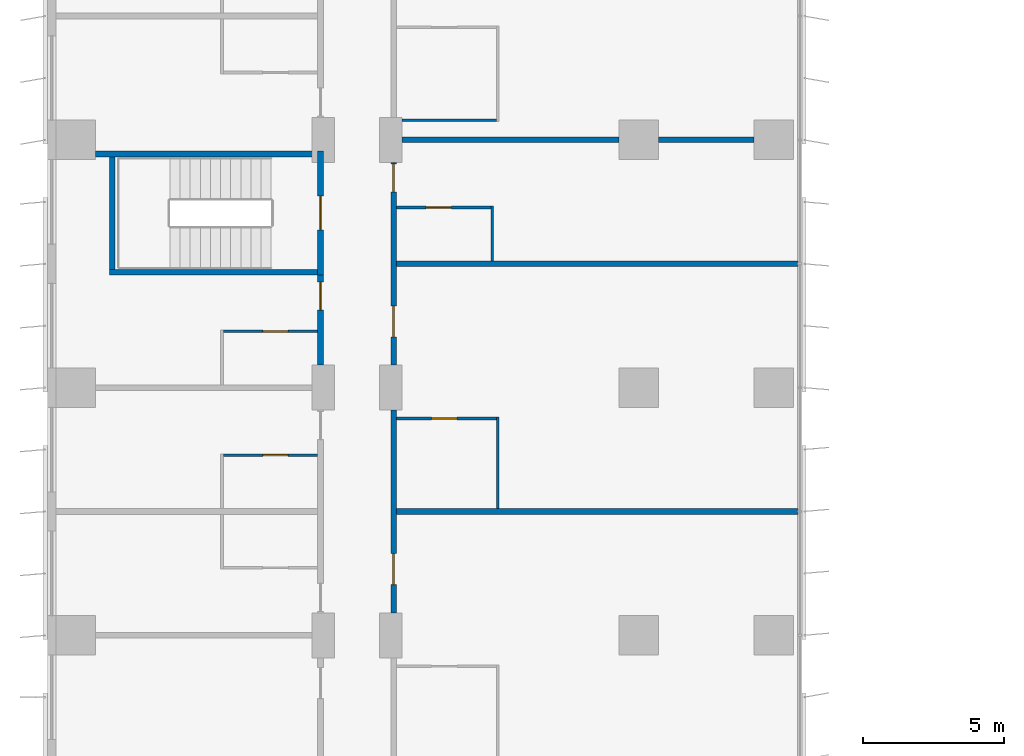
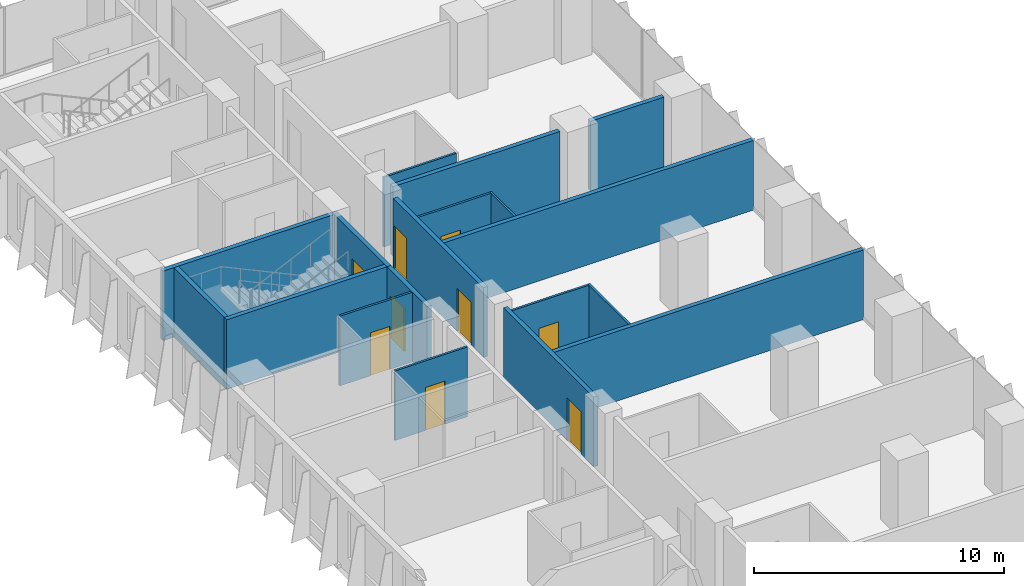
# One storey, part 17 of 24: 18 walls, 9 doors, 9 openings.
"""IFC4 building model written with IfcOpenShell, lengths in metres."""

from ifc_helpers import new_model, si_unit, direction, frame, frame_2d, origin, place, context, subcontext, project, spatial, rectangle, extrude, material, layer, layer_set, type_object, element, fill, save


model = new_model("IFC4")

# Units and contexts
model_context = context("Model", 3, precision=1e-05, world=origin(), true_north=direction((0.0, 1.0)))
body_context = subcontext(model_context, "Body", "Model", "MODEL_VIEW")
ifc_project = project(units=[si_unit("LENGTHUNIT", "METRE"), si_unit("AREAUNIT", "SQUARE_METRE"), si_unit("VOLUMEUNIT", "CUBIC_METRE"), si_unit("PLANEANGLEUNIT", "RADIAN"), si_unit("MASSUNIT", "GRAM", prefix="KILO")], contexts=[model_context])

# Site, building, storey
site_placement = place(None, origin())
site = spatial("IfcSite", under=ifc_project, at=site_placement, CompositionType="ELEMENT")
building_placement = place(site_placement, origin())
building = spatial("IfcBuilding", under=site, at=building_placement, Name="Kemantara Hotel Tower", CompositionType="ELEMENT")
storey_placement = place(building_placement, frame((0.0, 0.0, 52.5)))
storey = spatial("IfcBuildingStorey", under=building, at=storey_placement, Name="L11", CompositionType="ELEMENT", Elevation=52.5)

# Wall, opening, door
ifc_material_1 = material(Name="Gypsum board partition, steel studs and mineral wool, 200 mm", Category="steel")
ifc_layer_1 = layer(ifc_material_1, 0.199951171875)
ifc_layer_set_1 = layer_set([ifc_layer_1], Name="Gypsum board partition, steel studs and mineral wool, 200 mm")
wall_type_1 = type_object("IfcWallType", Name="CORRIDOR WALL 200", PredefinedType="PARTITIONING", material=ifc_layer_set_1)
wall_1_placement = place(storey_placement, frame((9.699951171875, 54.60009765625, 0.0), z_axis=(0.0, 0.0, 1.0), x_axis=(0.0, 1.0, 0.0)))
wall_1 = element("IfcWall", 1, at=wall_1_placement, inside=storey, type_object=wall_type_1, Name="CORRIDOR WALL 200 033", PredefinedType="PARTITIONING", context=body_context, shape_type="SweptSolid", body=[
    extrude(rectangle(XDim=3.199951171875, YDim=0.199951171875, at=frame_2d((1.60009765625, 0.0))), origin(), (0.0, 0.0, 1.0), 3.39990234375),
])
opening_1_placement = place(wall_1_placement, frame((1.949951171875, 0.0, 0.0)))
opening_1 = element("IfcOpeningElement", 2, at=opening_1_placement, cuts=wall_1, Name="Opening F03-046", PredefinedType="OPENING", context=body_context, shape_type="SweptSolid", body=[
    extrude(rectangle(XDim=1.0, YDim=2.10009765625, at=frame_2d((0.5, 1.050048828125))), frame((0.0, 0.10986328125, 0.0), z_axis=(0.0, -1.0, 0.0), x_axis=(1.0, 0.0, 0.0)), (0.0, 0.0, 1.0), 0.219970703125),
])
ifc_material_2 = material(Name="Hardwood veneer door leaf with steel frame", Category="steel")
door_type_1 = type_object("IfcDoorType", Name="GUEST ROOM DOOR 1000 X 2100 FD30S", OperationType="NOTDEFINED", PredefinedType="DOOR", material=ifc_material_2)
door_1_placement = place(opening_1_placement, origin())
door_1 = element("IfcDoor", 3, at=door_1_placement, inside=storey, type_object=door_type_1, Name="GUEST ROOM DOOR F03-046", OperationType="SINGLE_SWING_RIGHT", OverallHeight=2.10009765625, OverallWidth=1.0, PredefinedType="DOOR", context=body_context, shape_type="SweptSolid", body=[
    extrude(rectangle(XDim=1.0, YDim=2.10009765625, at=frame_2d((0.5, 1.050048828125))), frame((0.0, 0.02490234375, 0.0), z_axis=(0.0, -1.0, 0.0), x_axis=(1.0, 0.0, 0.0)), (0.0, 0.0, 1.0), 0.050048828125),
])
fill(opening_1, door_1)

wall_2_placement = place(storey_placement, frame((12.300048828125, 53.0, 0.0), z_axis=(0.0, 0.0, 1.0), x_axis=(0.0, -1.0, 0.0)))
wall_2 = element("IfcWall", 4, at=wall_2_placement, inside=storey, type_object=wall_type_1, Name="CORRIDOR WALL 200 049", PredefinedType="PARTITIONING", context=body_context, shape_type="SweptSolid", body=[
    extrude(rectangle(XDim=7.199951171875, YDim=0.199951171875, at=frame_2d((3.60009765625, 0.0))), origin(), (0.0, 0.0, 1.0), 3.39990234375),
])
opening_2_placement = place(wall_2_placement, frame((5.099853515625, 0.0, 0.0)))
opening_2 = element("IfcOpeningElement", 5, at=opening_2_placement, cuts=wall_2, Name="Opening F03-058", PredefinedType="OPENING", context=body_context, shape_type="SweptSolid", body=[
    extrude(rectangle(XDim=1.10009765625, YDim=2.10009765625, at=frame_2d((0.550048828125, 1.050048828125))), frame((0.0, 0.10986328125, 0.0), z_axis=(0.0, -1.0, 0.0), x_axis=(1.0, 0.0, 0.0)), (0.0, 0.0, 1.0), 0.219970703125),
])
door_type_2 = type_object("IfcDoorType", Name="SUITE ENTRANCE DOOR 1100 X 2100 FD30S", OperationType="NOTDEFINED", PredefinedType="DOOR", material=ifc_material_2)
door_2_placement = place(opening_2_placement, origin())
door_2 = element("IfcDoor", 6, at=door_2_placement, inside=storey, type_object=door_type_2, Name="SUITE ENTRANCE DOOR F03-058", OperationType="SINGLE_SWING_LEFT", OverallHeight=2.10009765625, OverallWidth=1.10009765625, PredefinedType="DOOR", context=body_context, shape_type="SweptSolid", body=[
    extrude(rectangle(XDim=1.10009765625, YDim=2.10009765625, at=frame_2d((0.550048828125, 1.050048828125))), frame((0.0, 0.02490234375, 0.0), z_axis=(0.0, -1.0, 0.0), x_axis=(1.0, 0.0, 0.0)), (0.0, 0.0, 1.0), 0.050048828125),
])
fill(opening_2, door_2)

# Wall, openings, doors
wall_3_placement = place(storey_placement, frame((12.300048828125, 61.7998046875, 0.0), z_axis=(0.0, 0.0, 1.0), x_axis=(0.0, -1.0, 0.0)))
wall_3 = element("IfcWall", 7, at=wall_3_placement, inside=storey, type_object=wall_type_1, Name="CORRIDOR WALL 200 050", PredefinedType="PARTITIONING", context=body_context, shape_type="SweptSolid", body=[
    extrude(rectangle(XDim=7.19970703125, YDim=0.199951171875, at=frame_2d((3.599853515625, 0.0))), origin(), (0.0, 0.0, 1.0), 3.39990234375),
])
opening_3_placement = place(wall_3_placement, frame((5.099853515625, 0.0, 0.0)))
opening_3 = element("IfcOpeningElement", 8, at=opening_3_placement, cuts=wall_3, Name="Opening F03-060", PredefinedType="OPENING", context=body_context, shape_type="SweptSolid", body=[
    extrude(rectangle(XDim=1.10009765625, YDim=2.10009765625, at=frame_2d((0.550048828125, 1.050048828125))), frame((0.0, 0.10986328125, 0.0), z_axis=(0.0, -1.0, 0.0), x_axis=(1.0, 0.0, 0.0)), (0.0, 0.0, 1.0), 0.219970703125),
])
opening_4_placement = place(wall_3_placement, frame((0.0498046875, 0.0, 0.0)))
opening_4 = element("IfcOpeningElement", 9, at=opening_4_placement, cuts=wall_3, Name="Opening F03-062", PredefinedType="OPENING", context=body_context, shape_type="SweptSolid", body=[
    extrude(rectangle(XDim=1.0, YDim=2.10009765625, at=frame_2d((0.5, 1.050048828125))), frame((0.0, 0.10986328125, 0.0), z_axis=(0.0, -1.0, 0.0), x_axis=(1.0, 0.0, 0.0)), (0.0, 0.0, 1.0), 0.219970703125),
])
door_3_placement = place(opening_4_placement, origin())
door_3 = element("IfcDoor", 10, at=door_3_placement, inside=storey, type_object=door_type_1, Name="GUEST ROOM DOOR F03-062", OperationType="SINGLE_SWING_LEFT", OverallHeight=2.10009765625, OverallWidth=1.0, PredefinedType="DOOR", context=body_context, shape_type="SweptSolid", body=[
    extrude(rectangle(XDim=1.0, YDim=2.10009765625, at=frame_2d((0.5, 1.050048828125))), frame((0.0, 0.02490234375, 0.0), z_axis=(0.0, -1.0, 0.0), x_axis=(1.0, 0.0, 0.0)), (0.0, 0.0, 1.0), 0.050048828125),
])
fill(opening_4, door_3)
door_4_placement = place(opening_3_placement, origin())
door_4 = element("IfcDoor", 11, at=door_4_placement, inside=storey, type_object=door_type_2, Name="SUITE ENTRANCE DOOR F03-060", OperationType="SINGLE_SWING_LEFT", OverallHeight=2.10009765625, OverallWidth=1.10009765625, PredefinedType="DOOR", context=body_context, shape_type="SweptSolid", body=[
    extrude(rectangle(XDim=1.10009765625, YDim=2.10009765625, at=frame_2d((0.550048828125, 1.050048828125))), frame((0.0, 0.02490234375, 0.0), z_axis=(0.0, -1.0, 0.0), x_axis=(1.0, 0.0, 0.0)), (0.0, 0.0, 1.0), 0.050048828125),
])
fill(opening_3, door_4)

# Wall, opening, door
ifc_material_3 = material(Name="Concrete fc 40 MPa", Category="concrete")
ifc_layer_2 = layer(ifc_material_3, 0.199951171875)
ifc_layer_set_2 = layer_set([ifc_layer_2], Name="Concrete fc 40 MPa")
wall_type_2 = type_object("IfcWallType", Name="Concrete stair wall 200 mm", PredefinedType="SHEAR", material=ifc_layer_set_2)
wall_4_placement = place(storey_placement, frame((9.699951171875, 57.800048828125, 0.0), z_axis=(0.0, 0.0, 1.0), x_axis=(0.0, 1.0, 0.0)))
wall_4 = element("IfcWall", 12, at=wall_4_placement, inside=storey, type_object=wall_type_2, Name="Stair ST4 enclosure wall with door", PredefinedType="SHEAR", context=body_context, shape_type="SweptSolid", body=[
    extrude(rectangle(XDim=4.39990234375, YDim=0.199951171875, at=frame_2d((2.199951171875, 0.0))), origin(), (0.0, 0.0, 1.0), 3.39990234375),
])
opening_5_placement = place(wall_4_placement, frame((1.60009765625, 0.0, 0.0)))
opening_5 = element("IfcOpeningElement", 13, at=opening_5_placement, cuts=wall_4, Name="Opening ST4-C", PredefinedType="OPENING", context=body_context, shape_type="SweptSolid", body=[
    extrude(rectangle(XDim=1.199951171875, YDim=2.10009765625, at=frame_2d((0.60009765625, 1.050048828125))), frame((0.0, 0.10986328125, 0.0), z_axis=(0.0, -1.0, 0.0), x_axis=(1.0, 0.0, 0.0)), (0.0, 0.0, 1.0), 0.219970703125),
])
ifc_material_4 = material(Name="Steel fire door", Category="steel")
door_type_3 = type_object("IfcDoorType", Name="Fire door FD90 1200 x 2100", OperationType="NOTDEFINED", PredefinedType="DOOR", material=ifc_material_4)
door_5_placement = place(opening_5_placement, origin())
door_5 = element("IfcDoor", 14, at=door_5_placement, inside=storey, type_object=door_type_3, Name="Stair ST4 door", OperationType="SINGLE_SWING_RIGHT", OverallHeight=2.10009765625, OverallWidth=1.199951171875, PredefinedType="DOOR", context=body_context, shape_type="SweptSolid", body=[
    extrude(rectangle(XDim=1.199951171875, YDim=2.10009765625, at=frame_2d((0.60009765625, 1.050048828125))), frame((0.0, 0.02490234375, 0.0), z_axis=(0.0, -1.0, 0.0), x_axis=(1.0, 0.0, 0.0)), (0.0, 0.0, 1.0), 0.050048828125),
])
fill(opening_5, door_5)

# Walls
wall_5_placement = place(storey_placement, frame((1.699951171875, 62.10009765625, 0.0), z_axis=(0.0, 0.0, 1.0), x_axis=(1.0, 0.0, 0.0)))
element("IfcWall", 15, at=wall_5_placement, inside=storey, type_object=wall_type_2, Name="Stair ST4 enclosure wall N", PredefinedType="SHEAR", context=body_context, shape_type="SweptSolid", body=[
    extrude(rectangle(XDim=7.900146484375, YDim=0.199951171875, at=frame_2d((3.9501953125, 0.0))), origin(), (0.0, 0.0, 1.0), 3.39990234375),
])
wall_6_placement = place(storey_placement, frame((2.199951171875, 57.89990234375, 0.0), z_axis=(0.0, 0.0, 1.0), x_axis=(1.0, 0.0, 0.0)))
element("IfcWall", 16, at=wall_6_placement, inside=storey, type_object=wall_type_2, Name="Stair ST4 enclosure wall S", PredefinedType="SHEAR", context=body_context, shape_type="SweptSolid", body=[
    extrude(rectangle(XDim=7.400146484375, YDim=0.199951171875, at=frame_2d((3.7001953125, 0.0))), origin(), (0.0, 0.0, 1.0), 3.39990234375),
])
wall_7_placement = place(storey_placement, frame((2.300048828125, 58.0, 0.0), z_axis=(0.0, 0.0, 1.0), x_axis=(0.0, 1.0, 0.0)))
element("IfcWall", 17, at=wall_7_placement, inside=storey, type_object=wall_type_2, Name="Stair ST4 enclosure wall W", PredefinedType="SHEAR", context=body_context, shape_type="SweptSolid", body=[
    extrude(rectangle(XDim=4.0, YDim=0.199951171875, at=frame_2d((2.0, 0.0))), origin(), (0.0, 0.0, 1.0), 3.39990234375),
])
ifc_layer_3 = layer(ifc_material_1, 0.199951171875)
ifc_layer_set_3 = layer_set([ifc_layer_3], Name="Gypsum board partition, steel studs and mineral wool, 200 mm")
wall_type_3 = type_object("IfcWallType", Name="GUEST ROOM PARTY WALL 200", PredefinedType="PARTITIONING", material=ifc_layer_set_3)
for number, where, z_axis, x_axis, name in (
    (18, (12.39990234375, 49.39990234375, 0.0), (0.0, 0.0, 1.0), (1.0, 0.0, 0.0), "GUEST ROOM PARTY WALL 200 043"),
    (19, (12.39990234375, 58.199951171875, 0.0), (0.0, 0.0, 1.0), (1.0, 0.0, 0.0), "GUEST ROOM PARTY WALL 200 057"),
):
    element("IfcWall", number, at=place(storey_placement, frame(where, z_axis=z_axis, x_axis=x_axis)), inside=storey, type_object=wall_type_3, Name=name, PredefinedType="PARTITIONING", context=body_context, shape_type="SweptSolid", body=[
        extrude(rectangle(XDim=14.27001953125, YDim=0.199951171875, at=frame_2d((7.135009765625, 0.0))), origin(), (0.0, 0.0, 1.0), 3.39990234375),
    ])
wall_8_placement = place(storey_placement, frame((12.60009765625, 62.60009765625, 0.0), z_axis=(0.0, 0.0, 1.0), x_axis=(1.0, 0.0, 0.0)))
element("IfcWall", 20, at=wall_8_placement, inside=storey, type_object=wall_type_3, Name="GUEST ROOM PARTY WALL 200 058", PredefinedType="PARTITIONING", context=body_context, shape_type="SweptSolid", body=[
    extrude(rectangle(XDim=7.69970703125, YDim=0.199951171875, at=frame_2d((3.849853515625, 0.0))), origin(), (0.0, 0.0, 1.0), 3.39990234375),
])
wall_9_placement = place(storey_placement, frame((21.7001953125, 62.60009765625, 0.0), z_axis=(0.0, 0.0, 1.0), x_axis=(1.0, 0.0, 0.0)))
element("IfcWall", 21, at=wall_9_placement, inside=storey, type_object=wall_type_3, Name="GUEST ROOM PARTY WALL 200 059", PredefinedType="PARTITIONING", context=body_context, shape_type="SweptSolid", body=[
    extrude(rectangle(XDim=3.399658203125, YDim=0.199951171875, at=frame_2d((1.69970703125, 0.0))), origin(), (0.0, 0.0, 1.0), 3.39990234375),
])

# Wall, opening, door
ifc_material_5 = material(Name="Gypsum board partition on steel studs, 100 mm", Category="steel")
ifc_layer_4 = layer(ifc_material_5, 0.10009765625)
ifc_layer_set_4 = layer_set([ifc_layer_4], Name="Gypsum board partition on steel studs, 100 mm")
wall_type_4 = type_object("IfcWallType", Name="ROOM PARTITION 100", PredefinedType="PARTITIONING", material=ifc_layer_set_4)
wall_10_placement = place(storey_placement, frame((9.60009765625, 51.39990234375, 0.0), z_axis=(0.0, 0.0, 1.0), x_axis=(-1.0, 0.0, 0.0)))
wall_10 = element("IfcWall", 22, at=wall_10_placement, inside=storey, type_object=wall_type_4, Name="ROOM PARTITION 100 112", PredefinedType="PARTITIONING", context=body_context, shape_type="SweptSolid", body=[
    extrude(rectangle(XDim=3.35009765625, YDim=0.10009765625, at=frame_2d((1.675048828125, 0.0))), origin(), (0.0, 0.0, 1.0), 3.39990234375),
])
opening_6_placement = place(wall_10_placement, frame((1.050048828125, 0.0, 0.0)))
opening_6 = element("IfcOpeningElement", 23, at=opening_6_placement, cuts=wall_10, Name="Opening F03-045", PredefinedType="OPENING", context=body_context, shape_type="SweptSolid", body=[
    extrude(rectangle(XDim=0.89990234375, YDim=2.10009765625, at=frame_2d((0.449951171875, 1.050048828125))), frame((0.0, 0.06005859375, 0.0), z_axis=(0.0, -1.0, 0.0), x_axis=(1.0, 0.0, 0.0)), (0.0, 0.0, 1.0), 0.1201171875),
])
door_type_4 = type_object("IfcDoorType", Name="BATHROOM DOOR 900 X 2100", OperationType="NOTDEFINED", PredefinedType="DOOR", material=ifc_material_2)
door_6_placement = place(opening_6_placement, origin())
door_6 = element("IfcDoor", 24, at=door_6_placement, inside=storey, type_object=door_type_4, Name="BATHROOM DOOR F03-045", OperationType="SINGLE_SWING_LEFT", OverallHeight=2.10009765625, OverallWidth=0.89990234375, PredefinedType="DOOR", context=body_context, shape_type="SweptSolid", body=[
    extrude(rectangle(XDim=0.89990234375, YDim=2.10009765625, at=frame_2d((0.449951171875, 1.050048828125))), frame((0.0, 0.02490234375, 0.0), z_axis=(0.0, -1.0, 0.0), x_axis=(1.0, 0.0, 0.0)), (0.0, 0.0, 1.0), 0.050048828125),
])
fill(opening_6, door_6)

wall_11_placement = place(storey_placement, frame((9.60009765625, 55.800048828125, 0.0), z_axis=(0.0, 0.0, 1.0), x_axis=(-1.0, 0.0, 0.0)))
wall_11 = element("IfcWall", 25, at=wall_11_placement, inside=storey, type_object=wall_type_4, Name="ROOM PARTITION 100 113", PredefinedType="PARTITIONING", context=body_context, shape_type="SweptSolid", body=[
    extrude(rectangle(XDim=3.35009765625, YDim=0.10009765625, at=frame_2d((1.675048828125, 0.0))), origin(), (0.0, 0.0, 1.0), 3.39990234375),
])
opening_7_placement = place(wall_11_placement, frame((1.050048828125, 0.0, 0.0)))
opening_7 = element("IfcOpeningElement", 26, at=opening_7_placement, cuts=wall_11, Name="Opening F03-047", PredefinedType="OPENING", context=body_context, shape_type="SweptSolid", body=[
    extrude(rectangle(XDim=0.89990234375, YDim=2.10009765625, at=frame_2d((0.449951171875, 1.050048828125))), frame((0.0, 0.06005859375, 0.0), z_axis=(0.0, -1.0, 0.0), x_axis=(1.0, 0.0, 0.0)), (0.0, 0.0, 1.0), 0.1201171875),
])
door_7_placement = place(opening_7_placement, origin())
door_7 = element("IfcDoor", 27, at=door_7_placement, inside=storey, type_object=door_type_4, Name="BATHROOM DOOR F03-047", OperationType="SINGLE_SWING_LEFT", OverallHeight=2.10009765625, OverallWidth=0.89990234375, PredefinedType="DOOR", context=body_context, shape_type="SweptSolid", body=[
    extrude(rectangle(XDim=0.89990234375, YDim=2.10009765625, at=frame_2d((0.449951171875, 1.050048828125))), frame((0.0, 0.02490234375, 0.0), z_axis=(0.0, -1.0, 0.0), x_axis=(1.0, 0.0, 0.0)), (0.0, 0.0, 1.0), 0.050048828125),
])
fill(opening_7, door_7)

# Wall
wall_12_placement = place(storey_placement, frame((16.0, 49.5, 0.0), z_axis=(0.0, 0.0, 1.0), x_axis=(0.0, 1.0, 0.0)))
element("IfcWall", 28, at=wall_12_placement, inside=storey, type_object=wall_type_4, Name="ROOM PARTITION 100 120", PredefinedType="PARTITIONING", context=body_context, shape_type="SweptSolid", body=[
    extrude(rectangle(XDim=3.25, YDim=0.10009765625, at=frame_2d((1.625, 0.0))), origin(), (0.0, 0.0, 1.0), 3.39990234375),
])

# Wall, opening, door
wall_13_placement = place(storey_placement, frame((15.949951171875, 52.699951171875, 0.0), z_axis=(0.0, 0.0, 1.0), x_axis=(-1.0, 0.0, 0.0)))
wall_13 = element("IfcWall", 29, at=wall_13_placement, inside=storey, type_object=wall_type_4, Name="ROOM PARTITION 100 124", PredefinedType="PARTITIONING", context=body_context, shape_type="SweptSolid", body=[
    extrude(rectangle(XDim=3.550048828125, YDim=0.10009765625, at=frame_2d((1.77490234375, 0.0))), origin(), (0.0, 0.0, 1.0), 3.39990234375),
])
opening_8_placement = place(wall_13_placement, frame((1.39990234375, 0.0, 0.0)))
opening_8 = element("IfcOpeningElement", 30, at=opening_8_placement, cuts=wall_13, Name="Opening F03-061", PredefinedType="OPENING", context=body_context, shape_type="SweptSolid", body=[
    extrude(rectangle(XDim=0.89990234375, YDim=2.10009765625, at=frame_2d((0.449951171875, 1.050048828125))), frame((0.0, 0.06005859375, 0.0), z_axis=(0.0, -1.0, 0.0), x_axis=(1.0, 0.0, 0.0)), (0.0, 0.0, 1.0), 0.1201171875),
])
door_8_placement = place(opening_8_placement, origin())
door_8 = element("IfcDoor", 31, at=door_8_placement, inside=storey, type_object=door_type_4, Name="BATHROOM DOOR F03-061", OperationType="SINGLE_SWING_RIGHT", OverallHeight=2.10009765625, OverallWidth=0.89990234375, PredefinedType="DOOR", context=body_context, shape_type="SweptSolid", body=[
    extrude(rectangle(XDim=0.89990234375, YDim=2.10009765625, at=frame_2d((0.449951171875, 1.050048828125))), frame((0.0, 0.02490234375, 0.0), z_axis=(0.0, -1.0, 0.0), x_axis=(1.0, 0.0, 0.0)), (0.0, 0.0, 1.0), 0.050048828125),
])
fill(opening_8, door_8)

# Wall
wall_14_placement = place(storey_placement, frame((15.800048828125, 58.300048828125, 0.0), z_axis=(0.0, 0.0, 1.0), x_axis=(0.0, 1.0, 0.0)))
element("IfcWall", 32, at=wall_14_placement, inside=storey, type_object=wall_type_4, Name="ROOM PARTITION 100 125", PredefinedType="PARTITIONING", context=body_context, shape_type="SweptSolid", body=[
    extrude(rectangle(XDim=1.949951171875, YDim=0.10009765625, at=frame_2d((0.97509765625, 0.0))), origin(), (0.0, 0.0, 1.0), 3.39990234375),
])

# Wall, opening, door
wall_15_placement = place(storey_placement, frame((15.75, 60.199951171875, 0.0), z_axis=(0.0, 0.0, 1.0), x_axis=(-1.0, 0.0, 0.0)))
wall_15 = element("IfcWall", 33, at=wall_15_placement, inside=storey, type_object=wall_type_4, Name="ROOM PARTITION 100 126", PredefinedType="PARTITIONING", context=body_context, shape_type="SweptSolid", body=[
    extrude(rectangle(XDim=3.35009765625, YDim=0.10009765625, at=frame_2d((1.675048828125, 0.0))), origin(), (0.0, 0.0, 1.0), 3.39990234375),
])
opening_9_placement = place(wall_15_placement, frame((1.39990234375, 0.0, 0.0)))
opening_9 = element("IfcOpeningElement", 34, at=opening_9_placement, cuts=wall_15, Name="Opening F03-063", PredefinedType="OPENING", context=body_context, shape_type="SweptSolid", body=[
    extrude(rectangle(XDim=0.89990234375, YDim=2.10009765625, at=frame_2d((0.449951171875, 1.050048828125))), frame((0.0, 0.06005859375, 0.0), z_axis=(0.0, -1.0, 0.0), x_axis=(1.0, 0.0, 0.0)), (0.0, 0.0, 1.0), 0.1201171875),
])
door_9_placement = place(opening_9_placement, origin())
door_9 = element("IfcDoor", 35, at=door_9_placement, inside=storey, type_object=door_type_4, Name="BATHROOM DOOR F03-063", OperationType="SINGLE_SWING_RIGHT", OverallHeight=2.10009765625, OverallWidth=0.89990234375, PredefinedType="DOOR", context=body_context, shape_type="SweptSolid", body=[
    extrude(rectangle(XDim=0.89990234375, YDim=2.10009765625, at=frame_2d((0.449951171875, 1.050048828125))), frame((0.0, 0.02490234375, 0.0), z_axis=(0.0, -1.0, 0.0), x_axis=(1.0, 0.0, 0.0)), (0.0, 0.0, 1.0), 0.050048828125),
])
fill(opening_9, door_9)

# Wall
wall_16_placement = place(storey_placement, frame((12.60009765625, 63.300048828125, 0.0), z_axis=(0.0, 0.0, 1.0), x_axis=(1.0, 0.0, 0.0)))
element("IfcWall", 36, at=wall_16_placement, inside=storey, type_object=wall_type_4, Name="ROOM PARTITION 100 127", PredefinedType="PARTITIONING", context=body_context, shape_type="SweptSolid", body=[
    extrude(rectangle(XDim=3.349853515625, YDim=0.10009765625, at=frame_2d((1.6748046875, 0.0))), origin(), (0.0, 0.0, 1.0), 3.39990234375),
])

save(model, "model.ifc")
